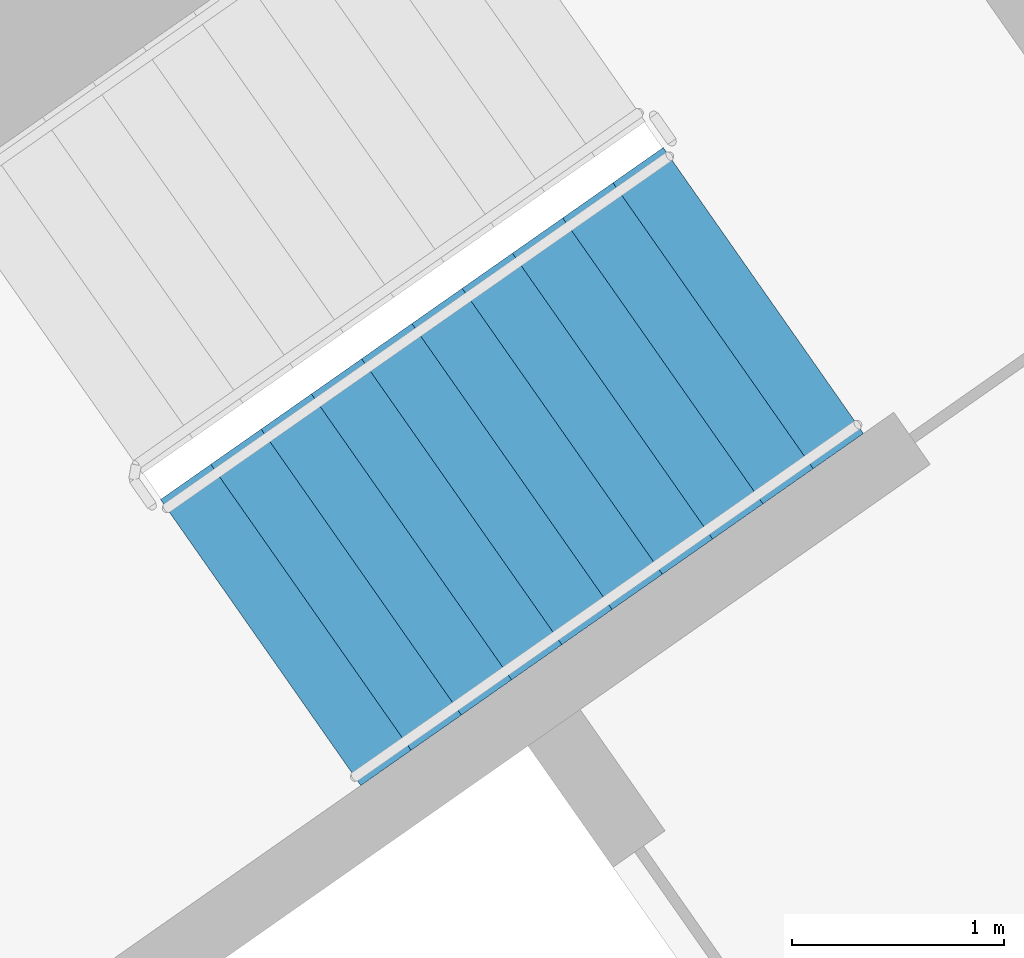
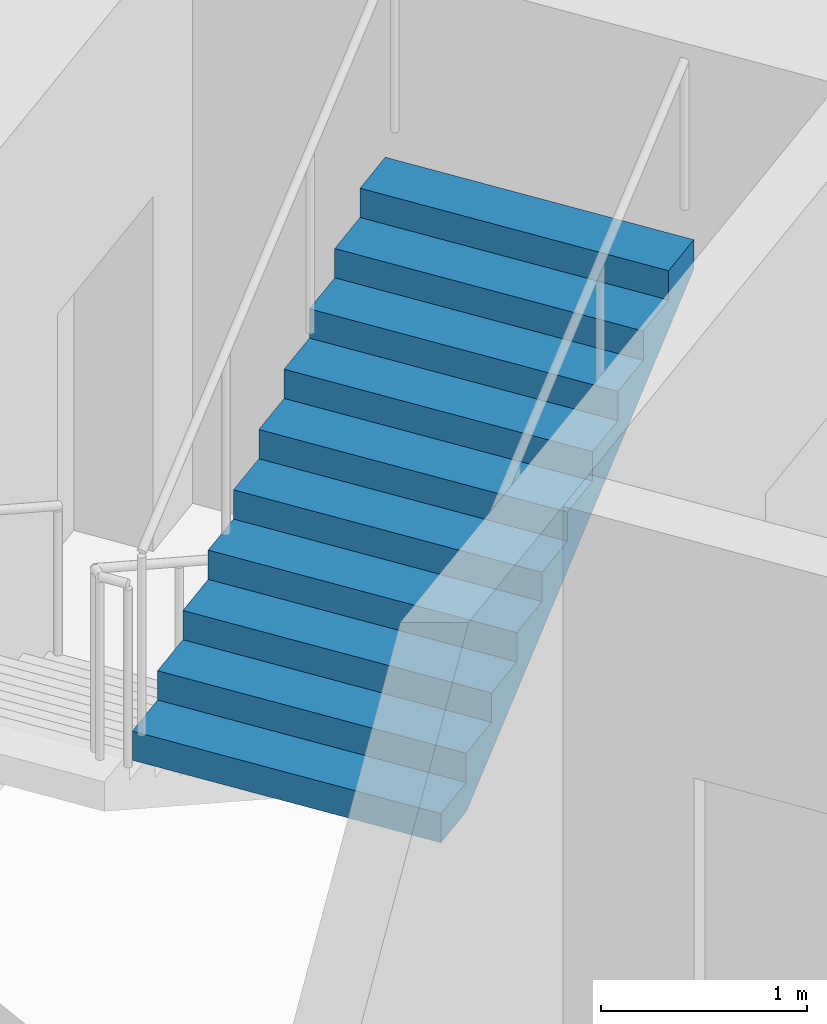
# One storey, part 14 of 31: 1 stair flight, 1 element without a shape of its own.
"""IFC4 building model written with IfcOpenShell, lengths in metres."""

import ifcopenshell
import ifcopenshell.guid

model = None  # the IFC model being written
_history = None  # IfcOwnerHistory: only IFC2X3 demands one
_inside = {}  # id of a spatial element -> (the spatial element, [elements in it])
_under = {}  # id of a project, library or spatial element -> (it, [spatial elements below it])
_declared = {}  # id of a project -> (the project, [libraries it declares])
_typed = {}  # id of a type object -> (the type object, [elements of that type])
_made_of = {}  # id of a material, layer set ... -> (it, [elements and type objects made of it])


def new_model(schema):
    """Start an empty IFC model of exactly this schema.

    Asked for "IFC4X3", IfcOpenShell would pick the latest addendum, in which some entities
    have other attributes; the version numbers below select the first issue.
    IFC2X3 requires an IfcOwnerHistory on every rooted entity: one is made here for all.
    """
    global model, _history
    if schema == "IFC4X3":
        model = ifcopenshell.file(schema_version=(4, 3, 0, 0))
    else:
        model = ifcopenshell.file(schema=schema)
    _inside.clear()
    _under.clear()
    _declared.clear()
    _typed.clear()
    _made_of.clear()
    _history = None
    if model.schema == "IFC2X3":
        org = make("IfcOrganization", Name="unknown")
        user = make(
            "IfcPersonAndOrganization",
            ThePerson=make("IfcPerson", FamilyName="unknown"),
            TheOrganization=org,
        )
        app = make(
            "IfcApplication",
            ApplicationDeveloper=org,
            Version="unknown",
            ApplicationFullName="unknown",
            ApplicationIdentifier="unknown",
        )
        _history = make(
            "IfcOwnerHistory",
            OwningUser=user,
            OwningApplication=app,
            ChangeAction="ADDED",
            CreationDate=0,
        )
    return model


def make(cls, **values):
    """One entity of the class cls with the attributes given. An attribute that is None is left unset."""
    return model.create_entity(
        cls, **{name: value for name, value in values.items() if value is not None}
    )


def rooted(cls, **values):
    """An entity with a GlobalId (a new one), such as an element, a storey or a relation."""
    return make(cls, GlobalId=ifcopenshell.guid.new(), OwnerHistory=_history, **values)


def si_unit(unit_type, name, prefix=None):
    """IfcSIUnit, for example si_unit("LENGTHUNIT", "METRE", prefix="MILLI")."""
    return make("IfcSIUnit", UnitType=unit_type, Prefix=prefix, Name=name)


def assignment(units):
    """IfcUnitAssignment: the units of a project."""
    return None if units is None else make("IfcUnitAssignment", Units=units)


def point(xyz):
    """IfcCartesianPoint."""
    return None if xyz is None else make("IfcCartesianPoint", Coordinates=xyz)


def direction(xyz):
    """IfcDirection."""
    return None if xyz is None else make("IfcDirection", DirectionRatios=xyz)


def frame(location, z_axis=None, x_axis=None):
    """IfcAxis2Placement3D, a coordinate frame: its origin and axes. An axis left out is left unset."""
    return make(
        "IfcAxis2Placement3D",
        Location=point(location),
        Axis=direction(z_axis),
        RefDirection=direction(x_axis),
    )


def origin():
    """The frame at (0, 0, 0) with its axes left unset."""
    return frame((0.0, 0.0, 0.0))


def place(relative_to, where):
    """IfcLocalPlacement: puts the frame where relative to a parent placement (None: the world)."""
    return make(
        "IfcLocalPlacement", PlacementRelTo=relative_to, RelativePlacement=where
    )


def context(
    kind, dimensions, precision=None, world=None, true_north=None, identifier=None
):
    """IfcGeometricRepresentationContext, for example the 3D "Model" context."""
    return make(
        "IfcGeometricRepresentationContext",
        ContextIdentifier=identifier,
        ContextType=kind,
        CoordinateSpaceDimension=dimensions,
        Precision=precision,
        WorldCoordinateSystem=world,
        TrueNorth=true_north,
    )


def subcontext(parent, identifier, kind, view, scale=None):
    """IfcGeometricRepresentationSubContext, for example "Body" below "Model"."""
    return make(
        "IfcGeometricRepresentationSubContext",
        ContextIdentifier=identifier,
        ContextType=kind,
        ParentContext=parent,
        TargetScale=scale,
        TargetView=view,
    )


def project(units=None, contexts=None):
    """IfcProject with its units and contexts."""
    return rooted(
        "IfcProject",
        Name="project",
        RepresentationContexts=contexts,
        UnitsInContext=assignment(units),
    )


def spatial(cls, under=None, at=None, **own):
    """A site, building, storey or space (cls), placed at a placement, below another one or the project."""
    s = rooted(cls, ObjectPlacement=at, **own)
    if under is not None:
        _under.setdefault(under.id(), (under, []))[1].append(s)
    return s


def faces_of(points, faces, orient=None, outer=None):
    """IfcFace entities. A face is a list of loops; a loop is a list of indices into points, from 0.

    orient and outer hold one flag for each loop. By default every Orientation is true, the
    first loop of a face is its IfcFaceOuterBound and the others are IfcFaceBound.
    """
    made = []
    for i, loops in enumerate(faces):
        bounds = []
        for j, loop in enumerate(loops):
            is_outer = j == 0 if outer is None else outer[i][j]
            bounds.append(
                make(
                    "IfcFaceOuterBound" if is_outer else "IfcFaceBound",
                    Bound=make("IfcPolyLoop", Polygon=[points[k] for k in loop]),
                    Orientation=True if orient is None else orient[i][j],
                )
            )
        made.append(make("IfcFace", Bounds=bounds))
    return made


def faceted_brep(points, faces, orient=None, outer=None, voids=None):
    """IfcFacetedBrep: a solid bounded by flat faces; with voids (closed shells), ...WithVoids."""
    shared = [point(p) for p in points]
    hull = make("IfcClosedShell", CfsFaces=faces_of(shared, faces, orient, outer))
    if voids is None:
        return make("IfcFacetedBrep", Outer=hull)
    return make(
        "IfcFacetedBrepWithVoids",
        Outer=hull,
        Voids=[
            make(cls, CfsFaces=faces_of(shared, fs, o, b)) for cls, fs, o, b in voids
        ],
    )


def shape(context_of_items, identifier, shape_type, items):
    """IfcShapeRepresentation: the items that make up one representation, for example the "Body"."""
    return make(
        "IfcShapeRepresentation",
        ContextOfItems=context_of_items,
        RepresentationIdentifier=identifier,
        RepresentationType=shape_type,
        Items=items,
    )


def material(Name=None, Category=None):
    """IfcMaterial."""
    return make("IfcMaterial", Name=Name, Category=Category)


def made_of(thing, what):
    """Note that an element or type object is made of a material, layer set ...; save() writes the relation."""
    if what is not None:
        _made_of.setdefault(what.id(), (what, []))[1].append(thing)
    return thing


def type_object(cls, material=None, **own):
    """A type object (cls), such as IfcWallType, which elements share."""
    return made_of(rooted(cls, **own), material)


def element(
    cls,
    number,
    at=None,
    inside=None,
    cuts=None,
    type_object=None,
    material=None,
    context=None,
    identifier="Body",
    shape_type=None,
    held_by="IfcProductDefinitionShape",
    body=None,
    shapes=None,
    **own,
):
    """One element of the class cls, such as IfcWall. Its Tag is "e" and its number.

    at: its placement. inside: the storey or other place that contains it. cuts: it is an
    opening in that element (IfcRelVoidsElement). A single representation is given by context,
    identifier, shape_type and body (its items); several are given by shapes. held_by: the class
    of the entity that holds the representations. save() writes the other relations.
    """
    e = rooted(cls, Tag="e%d" % number, ObjectPlacement=at, **own)
    if body is not None:
        shapes = [shape(context, identifier, shape_type, body)]
    if shapes is not None:
        e.Representation = make(held_by, Representations=shapes)
    if inside is not None:
        _inside.setdefault(inside.id(), (inside, []))[1].append(e)
    if cuts is not None:
        rooted(
            "IfcRelVoidsElement", RelatingBuildingElement=cuts, RelatedOpeningElement=e
        )
    if type_object is not None:
        _typed.setdefault(type_object.id(), (type_object, []))[1].append(e)
    return made_of(e, material)


def aggregate(whole, parts):
    """IfcRelAggregates: a whole, such as a stair, and the parts it consists of."""
    return rooted("IfcRelAggregates", RelatingObject=whole, RelatedObjects=parts)


def save(model, path):
    """Write the relations noted so far, then the file.

    IfcRelAggregates (storeys below a building ...), IfcRelContainedInSpatialStructure (elements
    in a storey), IfcRelDefinesByType, IfcRelAssociatesMaterial and IfcRelDeclares: one each for
    every whole, place, type object, material and project.
    """
    for whole, parts in _under.values():
        aggregate(whole, parts)
    for where, things in _inside.values():
        rooted(
            "IfcRelContainedInSpatialStructure",
            RelatedElements=things,
            RelatingStructure=where,
        )
    for kind, things in _typed.values():
        rooted("IfcRelDefinesByType", RelatedObjects=things, RelatingType=kind)
    for what, things in _made_of.values():
        rooted("IfcRelAssociatesMaterial", RelatedObjects=things, RelatingMaterial=what)
    for by, libraries in _declared.values():
        rooted("IfcRelDeclares", RelatingContext=by, RelatedDefinitions=libraries)
    model.write(path)


model = new_model("IFC4")

# Units and contexts
model_context = context("Model", 3, precision=1e-05, world=origin(), true_north=direction((0.0, 1.0)))
body_context = subcontext(model_context, "Body", "Model", "MODEL_VIEW")
ifc_project = project(units=[si_unit("LENGTHUNIT", "METRE"), si_unit("AREAUNIT", "SQUARE_METRE"), si_unit("VOLUMEUNIT", "CUBIC_METRE"), si_unit("PLANEANGLEUNIT", "RADIAN"), si_unit("MASSUNIT", "GRAM", prefix="KILO")], contexts=[model_context])

# Site, building, storey
site_placement = place(None, origin())
site = spatial("IfcSite", under=ifc_project, at=site_placement, CompositionType="ELEMENT")
building_placement = place(site_placement, origin())
building = spatial("IfcBuilding", under=site, at=building_placement, Name="Qamariyya Broadcast Tower", CompositionType="ELEMENT")
storey_placement = place(building_placement, frame((0.0, 0.0, 82.300048828125)))
storey = spatial("IfcBuildingStorey", under=building, at=storey_placement, Name="L17", CompositionType="ELEMENT", Elevation=82.300048828125)

# Stair, stair flight
ifc_material = material(Name="Concrete C50/60", Category="concrete")
stair_type = type_object("IfcStairType", Name="Exit stair 22 risers of 173 mm", PredefinedType="HALF_TURN_STAIR", material=ifc_material)
stair_placement = place(storey_placement, origin())
stair = element("IfcStair", 1, at=stair_placement, inside=storey, type_object=stair_type, Name="L17 Stair E2", PredefinedType="HALF_TURN_STAIR")
stair_flight_type = type_object("IfcStairFlightType", Name="Exit stair flight 11 risers of 173 mm", PredefinedType="STRAIGHT", material=ifc_material)
stair_flight_placement = place(storey_placement, frame((39.215576171875, -50.822998046875, 1.89990234375), z_axis=(0.0, 0.0, 1.0), x_axis=(0.819152044289, 0.573576436351, 0.0)))
stair_flight = element("IfcStairFlight", 2, at=stair_flight_placement, type_object=stair_flight_type, Name="ST-E2 flight 2", NumberOfRisers=11, NumberOfTreads=10, PredefinedType="STRAIGHT", RiserHeight=0.172727273, TreadLength=0.29, context=body_context, shape_type="Brep", body=[
    faceted_brep([(0.0, 0.824951171875, 0.0), (0.0, 0.824951171875, 0.172607421875), (0.2900390625, 0.824951171875, 0.172607421875), (0.2900390625, 0.824951171875, 0.345458984375), (0.580078125, 0.824951171875, 0.345458984375), (0.580078125, 0.824951171875, 0.51806640625), (0.8701171875, 0.824951171875, 0.51806640625), (0.8701171875, 0.824951171875, 0.69091796875), (1.159912109375, 0.824951171875, 0.69091796875), (1.159912109375, 0.824951171875, 0.863525390625), (1.449951171875, 0.824951171875, 0.863525390625), (1.449951171875, 0.824951171875, 1.036376953125), (1.739990234375, 0.824951171875, 1.036376953125), (1.739990234375, 0.824951171875, 1.208984375), (2.030029296875, 0.824951171875, 1.208984375), (2.030029296875, 0.824951171875, 1.3818359375), (2.320068359375, 0.824951171875, 1.3818359375), (2.320068359375, 0.824951171875, 1.554443359375), (2.610107421875, 0.824951171875, 1.554443359375), (2.610107421875, 0.824951171875, 1.727294921875), (2.89990234375, 0.824951171875, 1.727294921875), (2.89990234375, 0.824951171875, 1.552734375), (0.29296875, 0.824951171875, 0.0), (0.29296875, -0.824951171875, 0.0), (2.89990234375, -0.824951171875, 1.552734375), (2.89990234375, -0.824951171875, 1.727294921875), (2.610107421875, -0.824951171875, 1.727294921875), (2.610107421875, -0.824951171875, 1.554443359375), (2.320068359375, -0.824951171875, 1.554443359375), (2.320068359375, -0.824951171875, 1.3818359375), (2.030029296875, -0.824951171875, 1.3818359375), (2.030029296875, -0.824951171875, 1.208984375), (1.739990234375, -0.824951171875, 1.208984375), (1.739990234375, -0.824951171875, 1.036376953125), (1.449951171875, -0.824951171875, 1.036376953125), (1.449951171875, -0.824951171875, 0.863525390625), (1.159912109375, -0.824951171875, 0.863525390625), (1.159912109375, -0.824951171875, 0.69091796875), (0.8701171875, -0.824951171875, 0.69091796875), (0.8701171875, -0.824951171875, 0.51806640625), (0.580078125, -0.824951171875, 0.51806640625), (0.580078125, -0.824951171875, 0.345458984375), (0.2900390625, -0.824951171875, 0.345458984375), (0.2900390625, -0.824951171875, 0.172607421875), (0.0, -0.824951171875, 0.172607421875), (0.0, -0.824951171875, 0.0), (0.0, 0.10009765625, 0.0), (0.0, 0.086669921875, 0.0), (0.0, 0.0732421875, 0.0), (0.0, 0.06005859375, 0.0), (0.0, 0.046630859375, 0.0), (0.0, 0.033447265625, 0.0), (0.0, 0.02001953125, 0.0), (0.0, 0.006591796875, 0.0), (0.0, -0.006591796875, 0.0), (0.0, -0.02001953125, 0.0), (0.0, -0.033447265625, 0.0), (0.0, -0.046630859375, 0.0), (0.0, -0.06005859375, 0.0), (0.0, -0.0732421875, 0.0), (0.0, -0.086669921875, 0.0), (0.0, -0.10009765625, 0.0), (0.0, -0.10009765625, 0.172607421875), (0.0, -0.086669921875, 0.172607421875), (0.0, -0.0732421875, 0.172607421875), (0.0, -0.06005859375, 0.172607421875), (0.0, -0.046630859375, 0.172607421875), (0.0, -0.033447265625, 0.172607421875), (0.0, -0.02001953125, 0.172607421875), (0.0, -0.006591796875, 0.172607421875), (0.0, 0.006591796875, 0.172607421875), (0.0, 0.02001953125, 0.172607421875), (0.0, 0.033447265625, 0.172607421875), (0.0, 0.046630859375, 0.172607421875), (0.0, 0.06005859375, 0.172607421875), (0.0, 0.0732421875, 0.172607421875), (0.0, 0.086669921875, 0.172607421875), (0.0, 0.10009765625, 0.172607421875), (0.2900390625, -0.10009765625, 0.172607421875), (0.2900390625, -0.086669921875, 0.172607421875), (0.2900390625, -0.0732421875, 0.172607421875), (0.2900390625, -0.06005859375, 0.172607421875), (0.2900390625, -0.046630859375, 0.172607421875), (0.2900390625, -0.033447265625, 0.172607421875), (0.2900390625, -0.02001953125, 0.172607421875), (0.2900390625, -0.006591796875, 0.172607421875), (0.2900390625, 0.006591796875, 0.172607421875), (0.2900390625, 0.02001953125, 0.172607421875), (0.2900390625, 0.033447265625, 0.172607421875), (0.2900390625, 0.046630859375, 0.172607421875), (0.2900390625, 0.06005859375, 0.172607421875), (0.2900390625, 0.0732421875, 0.172607421875), (0.2900390625, 0.086669921875, 0.172607421875), (0.2900390625, 0.10009765625, 0.172607421875), (0.2900390625, -0.10009765625, 0.345458984375), (0.2900390625, -0.086669921875, 0.345458984375), (0.2900390625, -0.0732421875, 0.345458984375), (0.2900390625, -0.06005859375, 0.345458984375), (0.2900390625, -0.046630859375, 0.345458984375), (0.2900390625, -0.033447265625, 0.345458984375), (0.2900390625, -0.02001953125, 0.345458984375), (0.2900390625, -0.006591796875, 0.345458984375), (0.2900390625, 0.006591796875, 0.345458984375), (0.2900390625, 0.02001953125, 0.345458984375), (0.2900390625, 0.033447265625, 0.345458984375), (0.2900390625, 0.046630859375, 0.345458984375), (0.2900390625, 0.06005859375, 0.345458984375), (0.2900390625, 0.0732421875, 0.345458984375), (0.2900390625, 0.086669921875, 0.345458984375), (0.2900390625, 0.10009765625, 0.345458984375), (0.580078125, -0.10009765625, 0.345458984375), (0.580078125, -0.086669921875, 0.345458984375), (0.580078125, -0.0732421875, 0.345458984375), (0.580078125, -0.06005859375, 0.345458984375), (0.580078125, -0.046630859375, 0.345458984375), (0.580078125, -0.033447265625, 0.345458984375), (0.580078125, -0.02001953125, 0.345458984375), (0.580078125, -0.006591796875, 0.345458984375), (0.580078125, 0.006591796875, 0.345458984375), (0.580078125, 0.02001953125, 0.345458984375), (0.580078125, 0.033447265625, 0.345458984375), (0.580078125, 0.046630859375, 0.345458984375), (0.580078125, 0.06005859375, 0.345458984375), (0.580078125, 0.0732421875, 0.345458984375), (0.580078125, 0.086669921875, 0.345458984375), (0.580078125, 0.10009765625, 0.345458984375), (0.580078125, -0.10009765625, 0.51806640625), (0.580078125, -0.086669921875, 0.51806640625), (0.580078125, -0.0732421875, 0.51806640625), (0.580078125, -0.06005859375, 0.51806640625), (0.580078125, -0.046630859375, 0.51806640625), (0.580078125, -0.033447265625, 0.51806640625), (0.580078125, -0.02001953125, 0.51806640625), (0.580078125, -0.006591796875, 0.51806640625), (0.580078125, 0.006591796875, 0.51806640625), (0.580078125, 0.02001953125, 0.51806640625), (0.580078125, 0.033447265625, 0.51806640625), (0.580078125, 0.046630859375, 0.51806640625), (0.580078125, 0.06005859375, 0.51806640625), (0.580078125, 0.0732421875, 0.51806640625), (0.580078125, 0.086669921875, 0.51806640625), (0.580078125, 0.10009765625, 0.51806640625), (0.8701171875, -0.10009765625, 0.51806640625), (0.8701171875, -0.086669921875, 0.51806640625), (0.8701171875, -0.0732421875, 0.51806640625), (0.8701171875, -0.06005859375, 0.51806640625), (0.8701171875, -0.046630859375, 0.51806640625), (0.8701171875, -0.033447265625, 0.51806640625), (0.8701171875, -0.02001953125, 0.51806640625), (0.8701171875, -0.006591796875, 0.51806640625), (0.8701171875, 0.006591796875, 0.51806640625), (0.8701171875, 0.02001953125, 0.51806640625), (0.8701171875, 0.033447265625, 0.51806640625), (0.8701171875, 0.046630859375, 0.51806640625), (0.8701171875, 0.06005859375, 0.51806640625), (0.8701171875, 0.0732421875, 0.51806640625), (0.8701171875, 0.086669921875, 0.51806640625), (0.8701171875, 0.10009765625, 0.51806640625), (0.8701171875, -0.10009765625, 0.69091796875), (0.8701171875, -0.086669921875, 0.69091796875), (0.8701171875, -0.0732421875, 0.69091796875), (0.8701171875, -0.06005859375, 0.69091796875), (0.8701171875, -0.046630859375, 0.69091796875), (0.8701171875, -0.033447265625, 0.69091796875), (0.8701171875, -0.02001953125, 0.69091796875), (0.8701171875, -0.006591796875, 0.69091796875), (0.8701171875, 0.006591796875, 0.69091796875), (0.8701171875, 0.02001953125, 0.69091796875), (0.8701171875, 0.033447265625, 0.69091796875), (0.8701171875, 0.046630859375, 0.69091796875), (0.8701171875, 0.06005859375, 0.69091796875), (0.8701171875, 0.0732421875, 0.69091796875), (0.8701171875, 0.086669921875, 0.69091796875), (0.8701171875, 0.10009765625, 0.69091796875), (1.159912109375, -0.10009765625, 0.69091796875), (1.159912109375, -0.086669921875, 0.69091796875), (1.159912109375, -0.0732421875, 0.69091796875), (1.159912109375, -0.06005859375, 0.69091796875), (1.159912109375, -0.046630859375, 0.69091796875), (1.159912109375, -0.033447265625, 0.69091796875), (1.159912109375, -0.02001953125, 0.69091796875), (1.159912109375, -0.006591796875, 0.69091796875), (1.159912109375, 0.006591796875, 0.69091796875), (1.159912109375, 0.02001953125, 0.69091796875), (1.159912109375, 0.033447265625, 0.69091796875), (1.159912109375, 0.046630859375, 0.69091796875), (1.159912109375, 0.06005859375, 0.69091796875), (1.159912109375, 0.0732421875, 0.69091796875), (1.159912109375, 0.086669921875, 0.69091796875), (1.159912109375, 0.10009765625, 0.69091796875), (1.159912109375, -0.10009765625, 0.863525390625), (1.159912109375, -0.086669921875, 0.863525390625), (1.159912109375, -0.0732421875, 0.863525390625), (1.159912109375, -0.06005859375, 0.863525390625), (1.159912109375, -0.046630859375, 0.863525390625), (1.159912109375, -0.033447265625, 0.863525390625), (1.159912109375, -0.02001953125, 0.863525390625), (1.159912109375, -0.006591796875, 0.863525390625), (1.159912109375, 0.006591796875, 0.863525390625), (1.159912109375, 0.02001953125, 0.863525390625), (1.159912109375, 0.033447265625, 0.863525390625), (1.159912109375, 0.046630859375, 0.863525390625), (1.159912109375, 0.06005859375, 0.863525390625), (1.159912109375, 0.0732421875, 0.863525390625), (1.159912109375, 0.086669921875, 0.863525390625), (1.159912109375, 0.10009765625, 0.863525390625), (1.449951171875, -0.10009765625, 0.863525390625), (1.449951171875, -0.086669921875, 0.863525390625), (1.449951171875, -0.0732421875, 0.863525390625), (1.449951171875, -0.06005859375, 0.863525390625), (1.449951171875, -0.046630859375, 0.863525390625), (1.449951171875, -0.033447265625, 0.863525390625), (1.449951171875, -0.02001953125, 0.863525390625), (1.449951171875, -0.006591796875, 0.863525390625), (1.449951171875, 0.006591796875, 0.863525390625), (1.449951171875, 0.02001953125, 0.863525390625), (1.449951171875, 0.033447265625, 0.863525390625), (1.449951171875, 0.046630859375, 0.863525390625), (1.449951171875, 0.06005859375, 0.863525390625), (1.449951171875, 0.0732421875, 0.863525390625), (1.449951171875, 0.086669921875, 0.863525390625), (1.449951171875, 0.10009765625, 0.863525390625), (1.449951171875, -0.10009765625, 1.036376953125), (1.449951171875, -0.086669921875, 1.036376953125), (1.449951171875, -0.0732421875, 1.036376953125), (1.449951171875, -0.06005859375, 1.036376953125), (1.449951171875, -0.046630859375, 1.036376953125), (1.449951171875, -0.033447265625, 1.036376953125), (1.449951171875, -0.02001953125, 1.036376953125), (1.449951171875, -0.006591796875, 1.036376953125), (1.449951171875, 0.006591796875, 1.036376953125), (1.449951171875, 0.02001953125, 1.036376953125), (1.449951171875, 0.033447265625, 1.036376953125), (1.449951171875, 0.046630859375, 1.036376953125), (1.449951171875, 0.06005859375, 1.036376953125), (1.449951171875, 0.0732421875, 1.036376953125), (1.449951171875, 0.086669921875, 1.036376953125), (1.449951171875, 0.10009765625, 1.036376953125), (1.739990234375, -0.10009765625, 1.036376953125), (1.739990234375, -0.086669921875, 1.036376953125), (1.739990234375, -0.0732421875, 1.036376953125), (1.739990234375, -0.06005859375, 1.036376953125), (1.739990234375, -0.046630859375, 1.036376953125), (1.739990234375, -0.033447265625, 1.036376953125), (1.739990234375, -0.02001953125, 1.036376953125), (1.739990234375, -0.006591796875, 1.036376953125), (1.739990234375, 0.006591796875, 1.036376953125), (1.739990234375, 0.02001953125, 1.036376953125), (1.739990234375, 0.033447265625, 1.036376953125), (1.739990234375, 0.046630859375, 1.036376953125), (1.739990234375, 0.06005859375, 1.036376953125), (1.739990234375, 0.0732421875, 1.036376953125), (1.739990234375, 0.086669921875, 1.036376953125), (1.739990234375, 0.10009765625, 1.036376953125), (1.739990234375, -0.10009765625, 1.208984375), (1.739990234375, -0.086669921875, 1.208984375), (1.739990234375, -0.0732421875, 1.208984375), (1.739990234375, -0.06005859375, 1.208984375), (1.739990234375, -0.046630859375, 1.208984375), (1.739990234375, -0.033447265625, 1.208984375), (1.739990234375, -0.02001953125, 1.208984375), (1.739990234375, -0.006591796875, 1.208984375), (1.739990234375, 0.006591796875, 1.208984375), (1.739990234375, 0.02001953125, 1.208984375), (1.739990234375, 0.033447265625, 1.208984375), (1.739990234375, 0.046630859375, 1.208984375), (1.739990234375, 0.06005859375, 1.208984375), (1.739990234375, 0.0732421875, 1.208984375), (1.739990234375, 0.086669921875, 1.208984375), (1.739990234375, 0.10009765625, 1.208984375), (2.030029296875, -0.10009765625, 1.208984375), (2.030029296875, -0.086669921875, 1.208984375), (2.030029296875, -0.0732421875, 1.208984375), (2.030029296875, -0.06005859375, 1.208984375), (2.030029296875, -0.046630859375, 1.208984375), (2.030029296875, -0.033447265625, 1.208984375), (2.030029296875, -0.02001953125, 1.208984375), (2.030029296875, -0.006591796875, 1.208984375), (2.030029296875, 0.006591796875, 1.208984375), (2.030029296875, 0.02001953125, 1.208984375), (2.030029296875, 0.033447265625, 1.208984375), (2.030029296875, 0.046630859375, 1.208984375), (2.030029296875, 0.06005859375, 1.208984375), (2.030029296875, 0.0732421875, 1.208984375), (2.030029296875, 0.086669921875, 1.208984375), (2.030029296875, 0.10009765625, 1.208984375), (2.030029296875, -0.10009765625, 1.3818359375), (2.030029296875, -0.086669921875, 1.3818359375), (2.030029296875, -0.0732421875, 1.3818359375), (2.030029296875, -0.06005859375, 1.3818359375), (2.030029296875, -0.046630859375, 1.3818359375), (2.030029296875, -0.033447265625, 1.3818359375), (2.030029296875, -0.02001953125, 1.3818359375), (2.030029296875, -0.006591796875, 1.3818359375), (2.030029296875, 0.006591796875, 1.3818359375), (2.030029296875, 0.02001953125, 1.3818359375), (2.030029296875, 0.033447265625, 1.3818359375), (2.030029296875, 0.046630859375, 1.3818359375), (2.030029296875, 0.06005859375, 1.3818359375), (2.030029296875, 0.0732421875, 1.3818359375), (2.030029296875, 0.086669921875, 1.3818359375), (2.030029296875, 0.10009765625, 1.3818359375), (2.320068359375, -0.10009765625, 1.3818359375), (2.320068359375, -0.086669921875, 1.3818359375), (2.320068359375, -0.0732421875, 1.3818359375), (2.320068359375, -0.06005859375, 1.3818359375), (2.320068359375, -0.046630859375, 1.3818359375), (2.320068359375, -0.033447265625, 1.3818359375), (2.320068359375, -0.02001953125, 1.3818359375), (2.320068359375, -0.006591796875, 1.3818359375), (2.320068359375, 0.006591796875, 1.3818359375), (2.320068359375, 0.02001953125, 1.3818359375), (2.320068359375, 0.033447265625, 1.3818359375), (2.320068359375, 0.046630859375, 1.3818359375), (2.320068359375, 0.06005859375, 1.3818359375), (2.320068359375, 0.0732421875, 1.3818359375), (2.320068359375, 0.086669921875, 1.3818359375), (2.320068359375, 0.10009765625, 1.3818359375), (2.320068359375, -0.10009765625, 1.554443359375), (2.320068359375, -0.086669921875, 1.554443359375), (2.320068359375, -0.0732421875, 1.554443359375), (2.320068359375, -0.06005859375, 1.554443359375), (2.320068359375, -0.046630859375, 1.554443359375), (2.320068359375, -0.033447265625, 1.554443359375), (2.320068359375, -0.02001953125, 1.554443359375), (2.320068359375, -0.006591796875, 1.554443359375), (2.320068359375, 0.006591796875, 1.554443359375), (2.320068359375, 0.02001953125, 1.554443359375), (2.320068359375, 0.033447265625, 1.554443359375), (2.320068359375, 0.046630859375, 1.554443359375), (2.320068359375, 0.06005859375, 1.554443359375), (2.320068359375, 0.0732421875, 1.554443359375), (2.320068359375, 0.086669921875, 1.554443359375), (2.320068359375, 0.10009765625, 1.554443359375), (2.610107421875, -0.10009765625, 1.554443359375), (2.610107421875, -0.086669921875, 1.554443359375), (2.610107421875, -0.0732421875, 1.554443359375), (2.610107421875, -0.06005859375, 1.554443359375), (2.610107421875, -0.046630859375, 1.554443359375), (2.610107421875, -0.033447265625, 1.554443359375), (2.610107421875, -0.02001953125, 1.554443359375), (2.610107421875, -0.006591796875, 1.554443359375), (2.610107421875, 0.006591796875, 1.554443359375), (2.610107421875, 0.02001953125, 1.554443359375), (2.610107421875, 0.033447265625, 1.554443359375), (2.610107421875, 0.046630859375, 1.554443359375), (2.610107421875, 0.06005859375, 1.554443359375), (2.610107421875, 0.0732421875, 1.554443359375), (2.610107421875, 0.086669921875, 1.554443359375), (2.610107421875, 0.10009765625, 1.554443359375), (2.610107421875, -0.10009765625, 1.727294921875), (2.610107421875, -0.086669921875, 1.727294921875), (2.610107421875, -0.0732421875, 1.727294921875), (2.610107421875, -0.06005859375, 1.727294921875), (2.610107421875, -0.046630859375, 1.727294921875), (2.610107421875, -0.033447265625, 1.727294921875), (2.610107421875, -0.02001953125, 1.727294921875), (2.610107421875, -0.006591796875, 1.727294921875), (2.610107421875, 0.006591796875, 1.727294921875), (2.610107421875, 0.02001953125, 1.727294921875), (2.610107421875, 0.033447265625, 1.727294921875), (2.610107421875, 0.046630859375, 1.727294921875), (2.610107421875, 0.06005859375, 1.727294921875), (2.610107421875, 0.0732421875, 1.727294921875), (2.610107421875, 0.086669921875, 1.727294921875), (2.610107421875, 0.10009765625, 1.727294921875), (2.89990234375, -0.10009765625, 1.727294921875), (2.89990234375, -0.086669921875, 1.727294921875), (2.89990234375, -0.0732421875, 1.727294921875), (2.89990234375, -0.06005859375, 1.727294921875), (2.89990234375, -0.046630859375, 1.727294921875), (2.89990234375, -0.033447265625, 1.727294921875), (2.89990234375, -0.02001953125, 1.727294921875), (2.89990234375, -0.006591796875, 1.727294921875), (2.89990234375, 0.006591796875, 1.727294921875), (2.89990234375, 0.02001953125, 1.727294921875), (2.89990234375, 0.033447265625, 1.727294921875), (2.89990234375, 0.046630859375, 1.727294921875), (2.89990234375, 0.06005859375, 1.727294921875), (2.89990234375, 0.0732421875, 1.727294921875), (2.89990234375, 0.086669921875, 1.727294921875), (2.89990234375, 0.10009765625, 1.727294921875), (2.89990234375, -0.10009765625, 1.552734375), (2.89990234375, -0.086669921875, 1.552734375), (2.89990234375, -0.0732421875, 1.552734375), (2.89990234375, -0.06005859375, 1.552734375), (2.89990234375, -0.046630859375, 1.552734375), (2.89990234375, -0.033447265625, 1.552734375), (2.89990234375, -0.02001953125, 1.552734375), (2.89990234375, -0.006591796875, 1.552734375), (2.89990234375, 0.006591796875, 1.552734375), (2.89990234375, 0.02001953125, 1.552734375), (2.89990234375, 0.033447265625, 1.552734375), (2.89990234375, 0.046630859375, 1.552734375), (2.89990234375, 0.06005859375, 1.552734375), (2.89990234375, 0.0732421875, 1.552734375), (2.89990234375, 0.086669921875, 1.552734375), (2.89990234375, 0.10009765625, 1.552734375), (0.29296875, -0.10009765625, 0.0), (0.29296875, -0.086669921875, 0.0), (0.29296875, -0.0732421875, 0.0), (0.29296875, -0.06005859375, 0.0), (0.29296875, -0.046630859375, 0.0), (0.29296875, -0.033447265625, 0.0), (0.29296875, -0.02001953125, 0.0), (0.29296875, -0.006591796875, 0.0), (0.29296875, 0.006591796875, 0.0), (0.29296875, 0.02001953125, 0.0), (0.29296875, 0.033447265625, 0.0), (0.29296875, 0.046630859375, 0.0), (0.29296875, 0.06005859375, 0.0), (0.29296875, 0.0732421875, 0.0), (0.29296875, 0.086669921875, 0.0), (0.29296875, 0.10009765625, 0.0)], [[[0, 1, 2, 3, 4, 5, 6, 7, 8, 9, 10, 11, 12, 13, 14, 15, 16, 17, 18, 19, 20, 21, 22]], [[23, 24, 25, 26, 27, 28, 29, 30, 31, 32, 33, 34, 35, 36, 37, 38, 39, 40, 41, 42, 43, 44, 45]], [[0, 46, 47, 48, 49, 50, 51, 52, 53, 54, 55, 56, 57, 58, 59, 60, 61, 45, 44, 62, 63, 64, 65, 66, 67, 68, 69, 70, 71, 72, 73, 74, 75, 76, 77, 1]], [[1, 77, 76, 75, 74, 73, 72, 71, 70, 69, 68, 67, 66, 65, 64, 63, 62, 44, 43, 78, 79, 80, 81, 82, 83, 84, 85, 86, 87, 88, 89, 90, 91, 92, 93, 2]], [[2, 93, 92, 91, 90, 89, 88, 87, 86, 85, 84, 83, 82, 81, 80, 79, 78, 43, 42, 94, 95, 96, 97, 98, 99, 100, 101, 102, 103, 104, 105, 106, 107, 108, 109, 3]], [[3, 109, 108, 107, 106, 105, 104, 103, 102, 101, 100, 99, 98, 97, 96, 95, 94, 42, 41, 110, 111, 112, 113, 114, 115, 116, 117, 118, 119, 120, 121, 122, 123, 124, 125, 4]], [[4, 125, 124, 123, 122, 121, 120, 119, 118, 117, 116, 115, 114, 113, 112, 111, 110, 41, 40, 126, 127, 128, 129, 130, 131, 132, 133, 134, 135, 136, 137, 138, 139, 140, 141, 5]], [[5, 141, 140, 139, 138, 137, 136, 135, 134, 133, 132, 131, 130, 129, 128, 127, 126, 40, 39, 142, 143, 144, 145, 146, 147, 148, 149, 150, 151, 152, 153, 154, 155, 156, 157, 6]], [[6, 157, 156, 155, 154, 153, 152, 151, 150, 149, 148, 147, 146, 145, 144, 143, 142, 39, 38, 158, 159, 160, 161, 162, 163, 164, 165, 166, 167, 168, 169, 170, 171, 172, 173, 7]], [[7, 173, 172, 171, 170, 169, 168, 167, 166, 165, 164, 163, 162, 161, 160, 159, 158, 38, 37, 174, 175, 176, 177, 178, 179, 180, 181, 182, 183, 184, 185, 186, 187, 188, 189, 8]], [[8, 189, 188, 187, 186, 185, 184, 183, 182, 181, 180, 179, 178, 177, 176, 175, 174, 37, 36, 190, 191, 192, 193, 194, 195, 196, 197, 198, 199, 200, 201, 202, 203, 204, 205, 9]], [[9, 205, 204, 203, 202, 201, 200, 199, 198, 197, 196, 195, 194, 193, 192, 191, 190, 36, 35, 206, 207, 208, 209, 210, 211, 212, 213, 214, 215, 216, 217, 218, 219, 220, 221, 10]], [[10, 221, 220, 219, 218, 217, 216, 215, 214, 213, 212, 211, 210, 209, 208, 207, 206, 35, 34, 222, 223, 224, 225, 226, 227, 228, 229, 230, 231, 232, 233, 234, 235, 236, 237, 11]], [[11, 237, 236, 235, 234, 233, 232, 231, 230, 229, 228, 227, 226, 225, 224, 223, 222, 34, 33, 238, 239, 240, 241, 242, 243, 244, 245, 246, 247, 248, 249, 250, 251, 252, 253, 12]], [[12, 253, 252, 251, 250, 249, 248, 247, 246, 245, 244, 243, 242, 241, 240, 239, 238, 33, 32, 254, 255, 256, 257, 258, 259, 260, 261, 262, 263, 264, 265, 266, 267, 268, 269, 13]], [[13, 269, 268, 267, 266, 265, 264, 263, 262, 261, 260, 259, 258, 257, 256, 255, 254, 32, 31, 270, 271, 272, 273, 274, 275, 276, 277, 278, 279, 280, 281, 282, 283, 284, 285, 14]], [[14, 285, 284, 283, 282, 281, 280, 279, 278, 277, 276, 275, 274, 273, 272, 271, 270, 31, 30, 286, 287, 288, 289, 290, 291, 292, 293, 294, 295, 296, 297, 298, 299, 300, 301, 15]], [[15, 301, 300, 299, 298, 297, 296, 295, 294, 293, 292, 291, 290, 289, 288, 287, 286, 30, 29, 302, 303, 304, 305, 306, 307, 308, 309, 310, 311, 312, 313, 314, 315, 316, 317, 16]], [[16, 317, 316, 315, 314, 313, 312, 311, 310, 309, 308, 307, 306, 305, 304, 303, 302, 29, 28, 318, 319, 320, 321, 322, 323, 324, 325, 326, 327, 328, 329, 330, 331, 332, 333, 17]], [[17, 333, 332, 331, 330, 329, 328, 327, 326, 325, 324, 323, 322, 321, 320, 319, 318, 28, 27, 334, 335, 336, 337, 338, 339, 340, 341, 342, 343, 344, 345, 346, 347, 348, 349, 18]], [[18, 349, 348, 347, 346, 345, 344, 343, 342, 341, 340, 339, 338, 337, 336, 335, 334, 27, 26, 350, 351, 352, 353, 354, 355, 356, 357, 358, 359, 360, 361, 362, 363, 364, 365, 19]], [[19, 365, 364, 363, 362, 361, 360, 359, 358, 357, 356, 355, 354, 353, 352, 351, 350, 26, 25, 366, 367, 368, 369, 370, 371, 372, 373, 374, 375, 376, 377, 378, 379, 380, 381, 20]], [[20, 381, 380, 379, 378, 377, 376, 375, 374, 373, 372, 371, 370, 369, 368, 367, 366, 25, 24, 382, 383, 384, 385, 386, 387, 388, 389, 390, 391, 392, 393, 394, 395, 396, 397, 21]], [[21, 397, 396, 395, 394, 393, 392, 391, 390, 389, 388, 387, 386, 385, 384, 383, 382, 24, 23, 398, 399, 400, 401, 402, 403, 404, 405, 406, 407, 408, 409, 410, 411, 412, 413, 22]], [[22, 413, 412, 411, 410, 409, 408, 407, 406, 405, 404, 403, 402, 401, 400, 399, 398, 23, 45, 61, 60, 59, 58, 57, 56, 55, 54, 53, 52, 51, 50, 49, 48, 47, 46, 0]]]),
])
aggregate(stair, [stair_flight])

save(model, "model.ifc")
